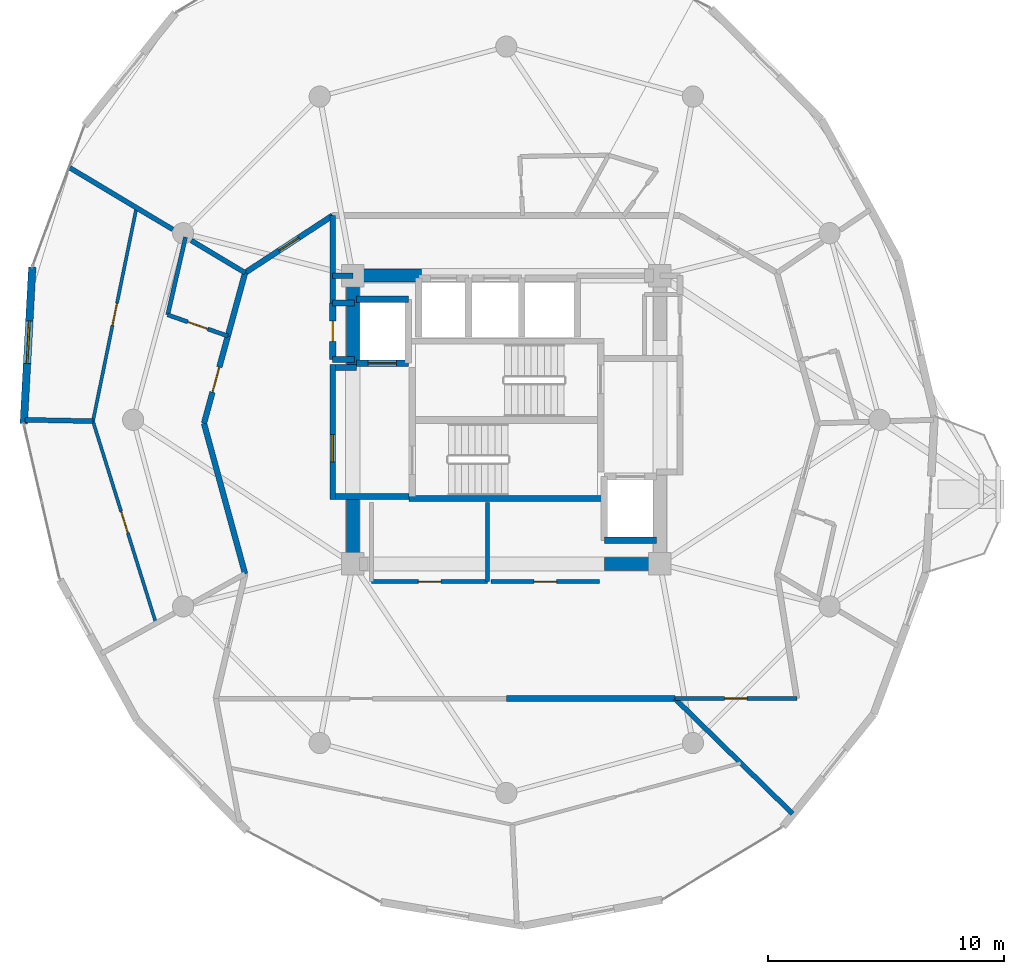
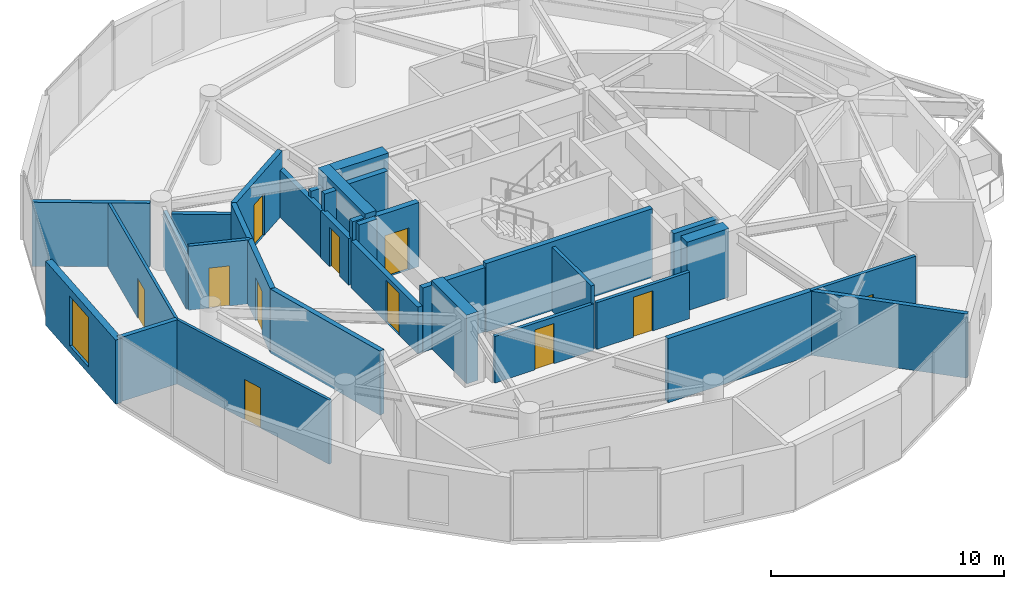
# One storey, part 17 of 21: 34 walls, 11 doors, 1 window, 12 openings.
"""IFC4 building model written with IfcOpenShell, lengths in metres."""

from ifc_helpers import new_model, si_unit, direction, frame, frame_2d, origin, place, context, subcontext, project, spatial, rectangle, extrude, material, layer, layer_set, type_object, element, fill, save


model = new_model("IFC4")

# Units and contexts
model_context = context("Model", 3, precision=1e-05, world=origin(), true_north=direction((0.0, 1.0)))
body_context = subcontext(model_context, "Body", "Model", "MODEL_VIEW")
ifc_project = project(units=[si_unit("LENGTHUNIT", "METRE"), si_unit("AREAUNIT", "SQUARE_METRE"), si_unit("VOLUMEUNIT", "CUBIC_METRE"), si_unit("PLANEANGLEUNIT", "RADIAN"), si_unit("MASSUNIT", "GRAM", prefix="KILO")], contexts=[model_context])

# Site, building, storey
site_placement = place(None, origin())
site = spatial("IfcSite", under=ifc_project, at=site_placement, CompositionType="ELEMENT")
building_placement = place(site_placement, origin())
building = spatial("IfcBuilding", under=site, at=building_placement, Name="Solvirekh Grand Hotel", CompositionType="ELEMENT")
storey_placement = place(building_placement, frame((0.0, 0.0, 216.39990234375)))
storey = spatial("IfcBuildingStorey", under=building, at=storey_placement, Name="L56", CompositionType="ELEMENT", Elevation=216.39990234375)

# Wall
ifc_material_1 = material(Name="Concrete C50/60", Category="concrete")
ifc_layer_1 = layer(ifc_material_1, 0.35009765625)
ifc_layer_set_1 = layer_set([ifc_layer_1], Name="Concrete C50/60")
wall_type_1 = type_object("IfcWallType", Name="CoreDivWall_RC350", PredefinedType="SOLIDWALL", material=ifc_layer_set_1)
wall_1_placement = place(storey_placement, frame((-4.1298828125, -3.324951171875, 0.0), z_axis=(0.0, 0.0, 1.0), x_axis=(1.0, 0.0, 0.0)))
element("IfcWall", 1, at=wall_1_placement, inside=storey, type_object=wall_type_1, Name="L56 core stair box wall ST-S", PredefinedType="SOLIDWALL", context=body_context, shape_type="SweptSolid", body=[
    extrude(rectangle(XDim=8.259765625, YDim=0.25, at=frame_2d((4.1298828125, 0.0))), origin(), (0.0, 0.0, 1.0), 3.60009765625),
])

# Wall, opening, door
ifc_material_2 = material(Name="Concrete C40/50", Category="concrete")
ifc_layer_2 = layer(ifc_material_2, 0.280029296875)
ifc_layer_set_2 = layer_set([ifc_layer_2], Name="Concrete C40/50")
wall_type_2 = type_object("IfcWallType", Name="CoreShaftWall_RC280", PredefinedType="SOLIDWALL", material=ifc_layer_set_2)
wall_2_placement = place(storey_placement, frame((-6.35009765625, 2.39990234375, 0.0), z_axis=(0.0, 0.0, 1.0), x_axis=(1.0, 0.0, 0.0)))
wall_2 = element("IfcWall", 2, at=wall_2_placement, inside=storey, type_object=wall_type_2, Name="L56 FL-1 hoistway S wall", PredefinedType="SOLIDWALL", context=body_context, shape_type="SweptSolid", body=[
    extrude(rectangle(XDim=2.2001953125, YDim=0.280029296875, at=frame_2d((1.10009765625, 0.0))), origin(), (0.0, 0.0, 1.0), 3.360107421875),
])
opening_1_placement = place(wall_2_placement, frame((0.5, 0.0, 0.0)))
opening_1 = element("IfcOpeningElement", 3, at=opening_1_placement, cuts=wall_2, Name="Opening LD02", PredefinedType="OPENING", context=body_context, shape_type="SweptSolid", body=[
    extrude(rectangle(XDim=1.199951171875, YDim=2.199951171875, at=frame_2d((0.60009765625, 1.10009765625))), frame((0.0, 0.14990234375, 0.0), z_axis=(0.0, -1.0, 0.0), x_axis=(1.0, 0.0, 0.0)), (0.0, 0.0, 1.0), 0.300048828125),
])
ifc_material_3 = material(Name="Fire-Rated Steel Door Assembly", Category="steel")
door_type_1 = type_object("IfcDoorType", Name="Door_LiftFF_1200X2200", OperationType="SLIDING_TO_LEFT", PredefinedType="DOOR", material=ifc_material_3)
door_1_placement = place(opening_1_placement, origin())
door_1 = element("IfcDoor", 4, at=door_1_placement, inside=storey, type_object=door_type_1, Name="L56 FL-1 sliding lift landing door", OperationType="SLIDING_TO_LEFT", OverallHeight=2.199951171875, OverallWidth=1.199951171875, PredefinedType="DOOR", context=body_context, shape_type="SweptSolid", body=[
    extrude(rectangle(XDim=1.199951171875, YDim=2.199951171875, at=frame_2d((0.60009765625, 1.10009765625))), frame((0.0, 0.02490234375, 0.0), z_axis=(0.0, -1.0, 0.0), x_axis=(1.0, 0.0, 0.0)), (0.0, 0.0, 1.0), 0.050048828125),
])
fill(opening_1, door_1)

# Walls
for number, where, z_axis, x_axis, name in (
    (5, (-4.14990234375, 5.10009765625, 0.0), (0.0, 0.0, 1.0), (-1.0, 0.0, 0.0), "L56 FL-1 hoistway N wall"),
    (6, (4.14990234375, -5.10009765625, 0.0), (0.0, 0.0, 1.0), (1.0, 0.0, 0.0), "L56 FL-2 hoistway S wall"),
):
    element("IfcWall", number, at=place(storey_placement, frame(where, z_axis=z_axis, x_axis=x_axis)), inside=storey, type_object=wall_type_2, Name=name, PredefinedType="SOLIDWALL", context=body_context, shape_type="SweptSolid", body=[
        extrude(rectangle(XDim=2.2001953125, YDim=0.280029296875, at=frame_2d((1.10009765625, 0.0))), origin(), (0.0, 0.0, 1.0), 3.360107421875),
    ])
ifc_layer_3 = layer(ifc_material_1, 0.550048828125)
ifc_layer_set_3 = layer_set([ifc_layer_3], Name="Concrete C50/60")
wall_type_3 = type_object("IfcWallType", Name="CoreWall_RC550", PredefinedType="SHEAR", material=ifc_layer_set_3)
wall_3_placement = place(storey_placement, frame((4.14990234375, -6.10009765625, 0.0), z_axis=(0.0, 0.0, 1.0), x_axis=(1.0, 0.0, 0.0)))
element("IfcWall", 7, at=wall_3_placement, inside=storey, type_object=wall_type_3, Name="L56 core corner shear wall SE-S", PredefinedType="SHEAR", context=body_context, shape_type="SweptSolid", body=[
    extrude(rectangle(XDim=2.0751953125, YDim=0.550048828125, at=frame_2d((1.03759765625, 0.0))), origin(), (0.0, 0.0, 1.0), 3.60009765625),
])
wall_4_placement = place(storey_placement, frame((-6.22509765625, 6.10009765625, 0.0), z_axis=(0.0, 0.0, 1.0), x_axis=(1.0, 0.0, 0.0)))
element("IfcWall", 8, at=wall_4_placement, inside=storey, type_object=wall_type_3, Name="L56 core corner shear wall NW-N", PredefinedType="SHEAR", context=body_context, shape_type="SweptSolid", body=[
    extrude(rectangle(XDim=2.625, YDim=0.550048828125, at=frame_2d((1.3125, 0.0))), origin(), (0.0, 0.0, 1.0), 3.60009765625),
])
wall_5_placement = place(storey_placement, frame((-6.5, 2.35009765625, 0.0), z_axis=(0.0, 0.0, 1.0), x_axis=(0.0, 1.0, 0.0)))
element("IfcWall", 9, at=wall_5_placement, inside=storey, type_object=wall_type_3, Name="L56 core corner shear wall WN-W", PredefinedType="SHEAR", context=body_context, shape_type="SweptSolid", body=[
    extrude(rectangle(XDim=4.02490234375, YDim=0.550048828125, at=frame_2d((2.012451171875, 0.0))), origin(), (0.0, 0.0, 1.0), 3.60009765625),
])
wall_6_placement = place(storey_placement, frame((-6.5, -6.375, 0.0), z_axis=(0.0, 0.0, 1.0), x_axis=(0.0, 1.0, 0.0)))
element("IfcWall", 10, at=wall_6_placement, inside=storey, type_object=wall_type_3, Name="L56 core corner shear wall WS-W", PredefinedType="SHEAR", context=body_context, shape_type="SweptSolid", body=[
    extrude(rectangle(XDim=3.02490234375, YDim=0.550048828125, at=frame_2d((1.512451171875, 0.0))), origin(), (0.0, 0.0, 1.0), 3.60009765625),
])

# Wall, opening, window
ifc_material_4 = material(Name="Precast concrete C45/55", Category="concrete")
ifc_layer_4 = layer(ifc_material_4, 0.320068359375)
ifc_layer_set_4 = layer_set([ifc_layer_4], Name="Precast concrete C45/55")
wall_type_4 = type_object("IfcWallType", Name="ExtLobbyWall_RC320", PredefinedType="SOLIDWALL", material=ifc_layer_set_4)
wall_7_placement = place(storey_placement, frame((-20.428955078125, -0.160888671875, 0.0), z_axis=(0.0, 0.0, 1.0), x_axis=(0.054369799723, 0.998520868524, 0.0)))
wall_7 = element("IfcWall", 11, at=wall_7_placement, inside=storey, type_object=wall_type_4, Name="L56 exterior structural wall chord 14", PredefinedType="SOLIDWALL", context=body_context, shape_type="SweptSolid", body=[
    extrude(rectangle(XDim=6.63671875, YDim=0.320068359375, at=frame_2d((3.318359375, 0.0))), origin(), (0.0, 0.0, 1.0), 3.360107421875),
])
opening_2_placement = place(wall_7_placement, frame((2.550048828125, 0.0, 0.35009765625)))
opening_2 = element("IfcOpeningElement", 12, at=opening_2_placement, cuts=wall_7, Name="Opening W02", PredefinedType="OPENING", context=body_context, shape_type="SweptSolid", body=[
    extrude(rectangle(XDim=1.800048828125, YDim=2.60009765625, at=frame_2d((0.89990234375, 1.300048828125))), frame((0.0, 0.169921875, 0.0), z_axis=(0.0, -1.0, 0.0), x_axis=(1.0, 0.0, 0.0)), (0.0, 0.0, 1.0), 0.340087890625),
])
ifc_material_5 = material(Name="Low-E Tinted Bronze Laminated Glass", Category="aluminium")
window_type = type_object("IfcWindowType", Name="Win_LobbyExt_1800X2600", PartitioningType="SINGLE_PANEL", PredefinedType="WINDOW", material=ifc_material_5)
window_placement = place(opening_2_placement, origin())
window = element("IfcWindow", 13, at=window_placement, inside=storey, type_object=window_type, Name="L56 panoramic bronze-framed window 14", OverallHeight=2.60009765625, OverallWidth=1.800048828125, PartitioningType="SINGLE_PANEL", PredefinedType="WINDOW", context=body_context, shape_type="SweptSolid", body=[
    extrude(rectangle(XDim=1.800048828125, YDim=2.60009765625, at=frame_2d((0.89990234375, 1.300048828125))), frame((0.0, 0.030029296875, 0.0), z_axis=(0.0, -1.0, 0.0), x_axis=(1.0, 0.0, 0.0)), (0.0, 0.0, 1.0), 0.06005859375),
])
fill(opening_2, window)

# Wall, opening, door
ifc_material_6 = material(Name="Acoustic Gypsum Partition Assembly")
ifc_layer_5 = layer(ifc_material_6, 0.1650390625)
ifc_layer_set_5 = layer_set([ifc_layer_5], Name="Acoustic Gypsum Partition Assembly")
wall_type_5 = type_object("IfcWallType", Name="Part_BOH_165", PredefinedType="PARTITIONING", material=ifc_layer_set_5)
wall_8_placement = place(storey_placement, frame((-5.699951171875, -6.85009765625, 0.0), z_axis=(0.0, 0.0, 1.0), x_axis=(1.0, 0.0, 0.0)))
wall_8 = element("IfcWall", 14, at=wall_8_placement, inside=storey, type_object=wall_type_5, Name="L56 High-Zone Housekeeping Linen Room wall 1", PredefinedType="PARTITIONING", context=body_context, shape_type="SweptSolid", body=[
    extrude(rectangle(XDim=4.89990234375, YDim=0.1650390625, at=frame_2d((2.449951171875, 0.0))), origin(), (0.0, 0.0, 1.0), 2.445068359375),
])
opening_3_placement = place(wall_8_placement, frame((1.97509765625, 0.0, 0.0)))
opening_3 = element("IfcOpeningElement", 15, at=opening_3_placement, cuts=wall_8, Name="Opening D10", PredefinedType="OPENING", context=body_context, shape_type="SweptSolid", body=[
    extrude(rectangle(XDim=0.949951171875, YDim=2.10009765625, at=frame_2d((0.47509765625, 1.050048828125))), frame((0.0, 0.092529296875, 0.0), z_axis=(0.0, -1.0, 0.0), x_axis=(1.0, 0.0, 0.0)), (0.0, 0.0, 1.0), 0.18505859375),
])
ifc_material_7 = material(Name="Anodized Bronze Aluminium 6063-T6", Category="aluminium")
door_type_2 = type_object("IfcDoorType", Name="Door_RoomInt_950X2100", OperationType="NOTDEFINED", PredefinedType="DOOR", material=ifc_material_7)
door_2_placement = place(opening_3_placement, origin())
door_2 = element("IfcDoor", 16, at=door_2_placement, inside=storey, type_object=door_type_2, Name="L56 High-Zone Housekeeping Linen Room door", OperationType="SINGLE_SWING_LEFT", OverallHeight=2.10009765625, OverallWidth=0.949951171875, PredefinedType="DOOR", context=body_context, shape_type="SweptSolid", body=[
    extrude(rectangle(XDim=0.949951171875, YDim=2.10009765625, at=frame_2d((0.47509765625, 1.050048828125))), frame((0.0, 0.02490234375, 0.0), z_axis=(0.0, -1.0, 0.0), x_axis=(1.0, 0.0, 0.0)), (0.0, 0.0, 1.0), 0.050048828125),
])
fill(opening_3, door_2)

# Wall
wall_9_placement = place(storey_placement, frame((-0.800048828125, -6.85009765625, 0.0), z_axis=(0.0, 0.0, 1.0), x_axis=(0.0, 1.0, 0.0)))
element("IfcWall", 17, at=wall_9_placement, inside=storey, type_object=wall_type_5, Name="L56 High-Zone Housekeeping Linen Room wall 2", PredefinedType="PARTITIONING", context=body_context, shape_type="SweptSolid", body=[
    extrude(rectangle(XDim=3.35009765625, YDim=0.1650390625, at=frame_2d((1.675048828125, 0.0))), origin(), (0.0, 0.0, 1.0), 3.360107421875),
])

# Wall, opening, door
wall_10_placement = place(storey_placement, frame((-0.64990234375, -6.85009765625, 0.0), z_axis=(0.0, 0.0, 1.0), x_axis=(1.0, 0.0, 0.0)))
wall_10 = element("IfcWall", 18, at=wall_10_placement, inside=storey, type_object=wall_type_5, Name="L56 Butler Valet Steward Room wall 1", PredefinedType="PARTITIONING", context=body_context, shape_type="SweptSolid", body=[
    extrude(rectangle(XDim=4.599853515625, YDim=0.1650390625, at=frame_2d((2.2998046875, 0.0))), origin(), (0.0, 0.0, 1.0), 2.445068359375),
])
opening_4_placement = place(wall_10_placement, frame((1.824951171875, 0.0, 0.0)))
opening_4 = element("IfcOpeningElement", 19, at=opening_4_placement, cuts=wall_10, Name="Opening D10", PredefinedType="OPENING", context=body_context, shape_type="SweptSolid", body=[
    extrude(rectangle(XDim=0.949951171875, YDim=2.10009765625, at=frame_2d((0.47509765625, 1.050048828125))), frame((0.0, 0.092529296875, 0.0), z_axis=(0.0, -1.0, 0.0), x_axis=(1.0, 0.0, 0.0)), (0.0, 0.0, 1.0), 0.18505859375),
])
door_3_placement = place(opening_4_placement, origin())
door_3 = element("IfcDoor", 20, at=door_3_placement, inside=storey, type_object=door_type_2, Name="L56 Butler Valet Steward Room door", OperationType="SINGLE_SWING_RIGHT", OverallHeight=2.10009765625, OverallWidth=0.949951171875, PredefinedType="DOOR", context=body_context, shape_type="SweptSolid", body=[
    extrude(rectangle(XDim=0.949951171875, YDim=2.10009765625, at=frame_2d((0.47509765625, 1.050048828125))), frame((0.0, 0.02490234375, 0.0), z_axis=(0.0, -1.0, 0.0), x_axis=(1.0, 0.0, 0.0)), (0.0, 0.0, 1.0), 0.050048828125),
])
fill(opening_4, door_3)

wall_11_placement = place(storey_placement, frame((7.134033203125, -11.800048828125, 0.0), z_axis=(0.0, 0.0, 1.0), x_axis=(1.0, 0.0, 0.0)))
wall_11 = element("IfcWall", 21, at=wall_11_placement, inside=storey, type_object=wall_type_5, Name="L56 L56 Butler Valet & Linen Steward Room entrance wall", PredefinedType="PARTITIONING", context=body_context, shape_type="SweptSolid", body=[
    extrude(rectangle(XDim=5.166015625, YDim=0.1650390625, at=frame_2d((2.5830078125, 0.0))), origin(), (0.0, 0.0, 1.0), 3.360107421875),
])
opening_5_placement = place(wall_11_placement, frame((2.10791015625, 0.0, 0.0)))
opening_5 = element("IfcOpeningElement", 22, at=opening_5_placement, cuts=wall_11, Name="Opening D10", PredefinedType="OPENING", context=body_context, shape_type="SweptSolid", body=[
    extrude(rectangle(XDim=0.949951171875, YDim=2.10009765625, at=frame_2d((0.47509765625, 1.050048828125))), frame((0.0, 0.092529296875, 0.0), z_axis=(0.0, -1.0, 0.0), x_axis=(1.0, 0.0, 0.0)), (0.0, 0.0, 1.0), 0.18505859375),
])
door_4_placement = place(opening_5_placement, origin())
door_4 = element("IfcDoor", 23, at=door_4_placement, inside=storey, type_object=door_type_2, Name="L56 L56 Butler Valet & Linen Steward Room entrance door", OperationType="SINGLE_SWING_LEFT", OverallHeight=2.10009765625, OverallWidth=0.949951171875, PredefinedType="DOOR", context=body_context, shape_type="SweptSolid", body=[
    extrude(rectangle(XDim=0.949951171875, YDim=2.10009765625, at=frame_2d((0.47509765625, 1.050048828125))), frame((0.0, 0.02490234375, 0.0), z_axis=(0.0, -1.0, 0.0), x_axis=(1.0, 0.0, 0.0)), (0.0, 0.0, 1.0), 0.050048828125),
])
fill(opening_5, door_4)

ifc_layer_6 = layer(ifc_material_6, 0.239990234375)
ifc_layer_set_6 = layer_set([ifc_layer_6], Name="Acoustic Gypsum Partition Assembly")
wall_type_6 = type_object("IfcWallType", Name="Part_Corridor_240", PredefinedType="PARTITIONING", material=ifc_layer_set_6)
wall_12_placement = place(storey_placement, frame((-7.35009765625, -3.3798828125, 0.0), z_axis=(0.0, 0.0, 1.0), x_axis=(0.0, 1.0, 0.0)))
wall_12 = element("IfcWall", 24, at=wall_12_placement, inside=storey, type_object=wall_type_6, Name="L56 west firefighting lobby smoke screen wall", PredefinedType="PARTITIONING", context=body_context, shape_type="SweptSolid", body=[
    extrude(rectangle(XDim=5.719970703125, YDim=0.239990234375, at=frame_2d((2.85986328125, 0.0))), origin(), (0.0, 0.0, 1.0), 2.445068359375),
])
opening_6_placement = place(wall_12_placement, frame((1.59912109375, 0.0, 0.0)))
opening_6 = element("IfcOpeningElement", 25, at=opening_6_placement, cuts=wall_12, Name="Opening D06", PredefinedType="OPENING", context=body_context, shape_type="SweptSolid", body=[
    extrude(rectangle(XDim=1.14990234375, YDim=2.199951171875, at=frame_2d((0.574951171875, 1.10009765625))), frame((0.0, 0.1298828125, 0.0), z_axis=(0.0, -1.0, 0.0), x_axis=(1.0, 0.0, 0.0)), (0.0, 0.0, 1.0), 0.260009765625),
])
door_type_3 = type_object("IfcDoorType", Name="Door_FFLobby_1150X2200", OperationType="NOTDEFINED", PredefinedType="DOOR", material=ifc_material_3)
door_5_placement = place(opening_6_placement, origin())
door_5 = element("IfcDoor", 26, at=door_5_placement, inside=storey, type_object=door_type_3, Name="L56 west firefighting lobby smoke door", OperationType="SINGLE_SWING_LEFT", OverallHeight=2.199951171875, OverallWidth=1.14990234375, PredefinedType="DOOR", context=body_context, shape_type="SweptSolid", body=[
    extrude(rectangle(XDim=1.14990234375, YDim=2.199951171875, at=frame_2d((0.574951171875, 1.10009765625))), frame((0.0, 0.02490234375, 0.0), z_axis=(0.0, -1.0, 0.0), x_axis=(1.0, 0.0, 0.0)), (0.0, 0.0, 1.0), 0.050048828125),
])
fill(opening_6, door_5)

# Walls
wall_13_placement = place(storey_placement, frame((-7.35009765625, 4.949951171875, 0.0), z_axis=(0.0, 0.0, 1.0), x_axis=(0.0, 1.0, 0.0)))
element("IfcWall", 27, at=wall_13_placement, inside=storey, type_object=wall_type_6, Name="L56 north lift lobby west wall", PredefinedType="PARTITIONING", context=body_context, shape_type="SweptSolid", body=[
    extrude(rectangle(XDim=3.699951171875, YDim=0.239990234375, at=frame_2d((1.85009765625, 0.0))), origin(), (0.0, 0.0, 1.0), 2.445068359375),
])
wall_14_placement = place(storey_placement, frame((-7.35009765625, 6.10009765625, 0.0), z_axis=(0.0, 0.0, 1.0), x_axis=(1.0, 0.0, 0.0)))
element("IfcWall", 28, at=wall_14_placement, inside=storey, type_object=wall_type_6, Name="L56 NW core corner closure wall", PredefinedType="PARTITIONING", context=body_context, shape_type="SweptSolid", body=[
    extrude(rectangle(XDim=0.85009765625, YDim=0.239990234375, at=frame_2d((0.425048828125, 0.0))), origin(), (0.0, 0.0, 1.0), 2.801025390625),
])

# Wall, opening, door
wall_15_placement = place(storey_placement, frame((-11.05810546875, 6.22509765625, 0.0), z_axis=(0.0, 0.0, 1.0), x_axis=(0.83693466485, 0.547302810857, 0.0)))
wall_15 = element("IfcWall", 29, at=wall_15_placement, inside=storey, type_object=wall_type_6, Name="L56 Panorama Suite 5802 entrance wall", PredefinedType="PARTITIONING", context=body_context, shape_type="SweptSolid", body=[
    extrude(rectangle(XDim=4.430419921875, YDim=0.239990234375, at=frame_2d((2.21533203125, 0.0))), origin(), (0.0, 0.0, 1.0), 3.360107421875),
])
opening_7_placement = place(wall_15_placement, frame((1.715087890625, 0.0, 0.0)))
opening_7 = element("IfcOpeningElement", 30, at=opening_7_placement, cuts=wall_15, Name="Opening D07", PredefinedType="OPENING", context=body_context, shape_type="SweptSolid", body=[
    extrude(rectangle(XDim=1.0, YDim=2.199951171875, at=frame_2d((0.5, 1.10009765625))), frame((0.0, 0.1298828125, 0.0), z_axis=(0.0, -1.0, 0.0), x_axis=(1.0, 0.0, 0.0)), (0.0, 0.0, 1.0), 0.260009765625),
])
door_type_4 = type_object("IfcDoorType", Name="Door_GuestEntry_1000X2200", OperationType="NOTDEFINED", PredefinedType="DOOR", material=ifc_material_3)
door_6_placement = place(opening_7_placement, origin())
door_6 = element("IfcDoor", 31, at=door_6_placement, inside=storey, type_object=door_type_4, Name="L56 Panorama Suite 5802 entrance door", OperationType="SINGLE_SWING_RIGHT", OverallHeight=2.199951171875, OverallWidth=1.0, PredefinedType="DOOR", context=body_context, shape_type="SweptSolid", body=[
    extrude(rectangle(XDim=1.0, YDim=2.199951171875, at=frame_2d((0.5, 1.10009765625))), frame((0.0, 0.02490234375, 0.0), z_axis=(0.0, -1.0, 0.0), x_axis=(1.0, 0.0, 0.0)), (0.0, 0.0, 1.0), 0.050048828125),
])
fill(opening_7, door_6)

# Walls
wall_16_placement = place(storey_placement, frame((-11.05810546875, 6.22509765625, 0.0), z_axis=(0.0, 0.0, 1.0), x_axis=(-0.263645685939, -0.964619589416, 0.0)))
element("IfcWall", 32, at=wall_16_placement, inside=storey, type_object=wall_type_6, Name="L56 En-suite Bathroom 5803 corridor backing wall", PredefinedType="PARTITIONING", context=body_context, shape_type="SweptSolid", body=[
    extrude(rectangle(XDim=2.776123046875, YDim=0.239990234375, at=frame_2d((1.38818359375, 0.0))), origin(), (0.0, 0.0, 1.0), 3.360107421875),
])
wall_17_placement = place(storey_placement, frame((-12.800048828125, -0.14990234375, 0.0), z_axis=(0.0, 0.0, 1.0), x_axis=(0.263583131966, -0.96463668422, 0.0)))
element("IfcWall", 33, at=wall_17_placement, inside=storey, type_object=wall_type_6, Name="L56 Executive Suite 5803 Living Room corridor wall 1", PredefinedType="PARTITIONING", context=body_context, shape_type="SweptSolid", body=[
    extrude(rectangle(XDim=6.608642578125, YDim=0.239990234375, at=frame_2d((3.30419921875, 0.0))), origin(), (0.0, 0.0, 1.0), 3.360107421875),
])

# Wall, opening, door
wall_18_placement = place(storey_placement, frame((-11.7900390625, 3.547119140625, 0.0), z_axis=(0.0, 0.0, 1.0), x_axis=(-0.263537818226, -0.964649064875, 0.0)))
wall_18 = element("IfcWall", 34, at=wall_18_placement, inside=storey, type_object=wall_type_6, Name="L56 Executive Suite 5803 Living Room entrance wall", PredefinedType="PARTITIONING", context=body_context, shape_type="SweptSolid", body=[
    extrude(rectangle(XDim=3.83251953125, YDim=0.239990234375, at=frame_2d((1.916259765625, 0.0))), origin(), (0.0, 0.0, 1.0), 3.360107421875),
])
opening_8_placement = place(wall_18_placement, frame((1.365966796875, 0.0, 0.0)))
opening_8 = element("IfcOpeningElement", 35, at=opening_8_placement, cuts=wall_18, Name="Opening D08", PredefinedType="OPENING", context=body_context, shape_type="SweptSolid", body=[
    extrude(rectangle(XDim=1.10009765625, YDim=2.300048828125, at=frame_2d((0.550048828125, 1.14990234375))), frame((0.0, 0.1298828125, 0.0), z_axis=(0.0, -1.0, 0.0), x_axis=(1.0, 0.0, 0.0)), (0.0, 0.0, 1.0), 0.260009765625),
])
door_type_5 = type_object("IfcDoorType", Name="Door_SuiteEntry_1100X2300", OperationType="NOTDEFINED", PredefinedType="DOOR", material=ifc_material_3)
door_7_placement = place(opening_8_placement, origin())
door_7 = element("IfcDoor", 36, at=door_7_placement, inside=storey, type_object=door_type_5, Name="L56 Executive Suite 5803 Living Room entrance door", OperationType="SINGLE_SWING_RIGHT", OverallHeight=2.300048828125, OverallWidth=1.10009765625, PredefinedType="DOOR", context=body_context, shape_type="SweptSolid", body=[
    extrude(rectangle(XDim=1.10009765625, YDim=2.300048828125, at=frame_2d((0.550048828125, 1.14990234375))), frame((0.0, 0.02490234375, 0.0), z_axis=(0.0, -1.0, 0.0), x_axis=(1.0, 0.0, 0.0)), (0.0, 0.0, 1.0), 0.050048828125),
])
fill(opening_8, door_7)

# Walls
wall_19_placement = place(storey_placement, frame((0.0, -11.800048828125, 0.0), z_axis=(0.0, 0.0, 1.0), x_axis=(1.0, 0.0, 0.0)))
element("IfcWall", 37, at=wall_19_placement, inside=storey, type_object=wall_type_6, Name="L56 L56 Bespoke Atelier Room corridor wall 1", PredefinedType="PARTITIONING", context=body_context, shape_type="SweptSolid", body=[
    extrude(rectangle(XDim=7.134033203125, YDim=0.239990234375, at=frame_2d((3.56689453125, 0.0))), origin(), (0.0, 0.0, 1.0), 3.360107421875),
])
ifc_layer_7 = layer(ifc_material_6, 0.260009765625)
ifc_layer_set_7 = layer_set([ifc_layer_7], Name="Acoustic Gypsum Partition Assembly")
wall_type_7 = type_object("IfcWallType", Name="Part_LobbyFF_260", PredefinedType="PARTITIONING", material=ifc_layer_set_7)
wall_20_placement = place(storey_placement, frame((-7.22509765625, -3.25, 0.0), z_axis=(0.0, 0.0, 1.0), x_axis=(1.0, 0.0, 0.0)))
element("IfcWall", 38, at=wall_20_placement, inside=storey, type_object=wall_type_7, Name="L56 west firefighting lobby south partition", PredefinedType="PARTITIONING", context=body_context, shape_type="SweptSolid", body=[
    extrude(rectangle(XDim=3.09521484375, YDim=0.260009765625, at=frame_2d((1.547607421875, 0.0))), origin(), (0.0, 0.0, 1.0), 3.360107421875),
])
wall_21_placement = place(storey_placement, frame((-7.22509765625, 2.2099609375, 0.0), z_axis=(0.0, 0.0, 1.0), x_axis=(1.0, 0.0, 0.0)))
element("IfcWall", 39, at=wall_21_placement, inside=storey, type_object=wall_type_7, Name="L56 west firefighting lobby NW cheek", PredefinedType="PARTITIONING", context=body_context, shape_type="SweptSolid", body=[
    extrude(rectangle(XDim=0.875, YDim=0.260009765625, at=frame_2d((0.4375, 0.0))), origin(), (0.0, 0.0, 1.0), 3.360107421875),
])
for number, where, z_axis, x_axis, name in (
    (40, (-7.35009765625, 4.949951171875, 0.0), (0.0, 0.0, 1.0), (1.0, 0.0, 0.0), "L56 NW telecom metering cupboard north wall"),
    (41, (-7.35009765625, 2.550048828125, 0.0), (0.0, 0.0, 1.0), (1.0, 0.0, 0.0), "L56 NW telecom metering cupboard south wall"),
):
    element("IfcWall", number, at=place(storey_placement, frame(where, z_axis=z_axis, x_axis=x_axis)), inside=storey, type_object=wall_type_7, Name=name, PredefinedType="PARTITIONING", context=body_context, shape_type="SweptSolid", body=[
        extrude(rectangle(XDim=0.93017578125, YDim=0.260009765625, at=frame_2d((0.465087890625, 0.0))), origin(), (0.0, 0.0, 1.0), 3.360107421875),
    ])

# Wall, opening, door
wall_22_placement = place(storey_placement, frame((-7.35009765625, 2.550048828125, 0.0), z_axis=(0.0, 0.0, 1.0), x_axis=(0.0, 1.0, 0.0)))
wall_22 = element("IfcWall", 42, at=wall_22_placement, inside=storey, type_object=wall_type_7, Name="L56 NW telecom metering cupboard access wall", PredefinedType="PARTITIONING", context=body_context, shape_type="SweptSolid", body=[
    extrude(rectangle(XDim=2.39990234375, YDim=0.260009765625, at=frame_2d((1.199951171875, 0.0))), origin(), (0.0, 0.0, 1.0), 2.445068359375),
])
opening_9_placement = place(wall_22_placement, frame((0.77490234375, 0.0, 0.0)))
opening_9 = element("IfcOpeningElement", 43, at=opening_9_placement, cuts=wall_22, Name="Opening D13", PredefinedType="OPENING", context=body_context, shape_type="SweptSolid", body=[
    extrude(rectangle(XDim=0.85009765625, YDim=2.050048828125, at=frame_2d((0.425048828125, 1.02490234375))), frame((0.0, 0.14013671875, 0.0), z_axis=(0.0, -1.0, 0.0), x_axis=(1.0, 0.0, 0.0)), (0.0, 0.0, 1.0), 0.280029296875),
])
door_type_6 = type_object("IfcDoorType", Name="Door_RiserShaft_850X2050", OperationType="NOTDEFINED", PredefinedType="DOOR", material=ifc_material_3)
door_8_placement = place(opening_9_placement, origin())
door_8 = element("IfcDoor", 44, at=door_8_placement, inside=storey, type_object=door_type_6, Name="L56 telecom metering cupboard access door", OperationType="SINGLE_SWING_LEFT", OverallHeight=2.050048828125, OverallWidth=0.85009765625, PredefinedType="DOOR", context=body_context, shape_type="SweptSolid", body=[
    extrude(rectangle(XDim=0.85009765625, YDim=2.050048828125, at=frame_2d((0.425048828125, 1.02490234375))), frame((0.0, 0.02490234375, 0.0), z_axis=(0.0, -1.0, 0.0), x_axis=(1.0, 0.0, 0.0)), (0.0, 0.0, 1.0), 0.050048828125),
])
fill(opening_9, door_8)

ifc_layer_8 = layer(ifc_material_6, 0.135009765625)
ifc_layer_set_8 = layer_set([ifc_layer_8], Name="Acoustic Gypsum Partition Assembly")
wall_type_8 = type_object("IfcWallType", Name="Part_RoomInt_135", PredefinedType="PARTITIONING", material=ifc_layer_set_8)
wall_23_placement = place(storey_placement, frame((-15.656982421875, 8.97900390625, 0.0), z_axis=(0.0, 0.0, 1.0), x_axis=(-0.199851606377, -0.97982617613, 0.0)))
wall_23 = element("IfcWall", 45, at=wall_23_placement, inside=storey, type_object=wall_type_8, Name="L56 Executive Suite 5803 Living Room bedroom screen wall", PredefinedType="PARTITIONING", context=body_context, shape_type="SweptSolid", body=[
    extrude(rectangle(XDim=9.221923828125, YDim=0.135009765625, at=frame_2d((4.61083984375, 0.0))), origin(), (0.0, 0.0, 1.0), 3.360107421875),
])
opening_10_placement = place(wall_23_placement, frame((4.135986328125, 0.0, 0.0)))
opening_10 = element("IfcOpeningElement", 46, at=opening_10_placement, cuts=wall_23, Name="Opening D10", PredefinedType="OPENING", context=body_context, shape_type="SweptSolid", body=[
    extrude(rectangle(XDim=0.949951171875, YDim=2.10009765625, at=frame_2d((0.47509765625, 1.050048828125))), frame((0.0, 0.07763671875, 0.0), z_axis=(0.0, -1.0, 0.0), x_axis=(1.0, 0.0, 0.0)), (0.0, 0.0, 1.0), 0.155029296875),
])
door_9_placement = place(opening_10_placement, origin())
door_9 = element("IfcDoor", 47, at=door_9_placement, inside=storey, type_object=door_type_2, Name="L56 Executive Suite 5803 Living Room master bedroom door", OperationType="SINGLE_SWING_LEFT", OverallHeight=2.10009765625, OverallWidth=0.949951171875, PredefinedType="DOOR", context=body_context, shape_type="SweptSolid", body=[
    extrude(rectangle(XDim=0.949951171875, YDim=2.10009765625, at=frame_2d((0.47509765625, 1.050048828125))), frame((0.0, 0.02490234375, 0.0), z_axis=(0.0, -1.0, 0.0), x_axis=(1.0, 0.0, 0.0)), (0.0, 0.0, 1.0), 0.050048828125),
])
fill(opening_10, door_9)

wall_24_placement = place(storey_placement, frame((-17.5, -0.056884765625, 0.0), z_axis=(0.0, 0.0, 1.0), x_axis=(0.297788107715, -0.954631993442, 0.0)))
wall_24 = element("IfcWall", 48, at=wall_24_placement, inside=storey, type_object=wall_type_8, Name="L56 Executive Suite 5803 Panorama Suite Study bedroom screen wall", PredefinedType="PARTITIONING", context=body_context, shape_type="SweptSolid", body=[
    extrude(rectangle(XDim=8.9658203125, YDim=0.135009765625, at=frame_2d((4.48291015625, 0.0))), origin(), (0.0, 0.0, 1.0), 3.360107421875),
])
opening_11_placement = place(wall_24_placement, frame((4.008056640625, 0.0, 0.0)))
opening_11 = element("IfcOpeningElement", 49, at=opening_11_placement, cuts=wall_24, Name="Opening D10", PredefinedType="OPENING", context=body_context, shape_type="SweptSolid", body=[
    extrude(rectangle(XDim=0.949951171875, YDim=2.10009765625, at=frame_2d((0.47509765625, 1.050048828125))), frame((0.0, 0.07763671875, 0.0), z_axis=(0.0, -1.0, 0.0), x_axis=(1.0, 0.0, 0.0)), (0.0, 0.0, 1.0), 0.155029296875),
])
door_10_placement = place(opening_11_placement, origin())
door_10 = element("IfcDoor", 50, at=door_10_placement, inside=storey, type_object=door_type_2, Name="L56 Executive Suite 5803 Panorama Suite Study master bedroom door", OperationType="SINGLE_SWING_RIGHT", OverallHeight=2.10009765625, OverallWidth=0.949951171875, PredefinedType="DOOR", context=body_context, shape_type="SweptSolid", body=[
    extrude(rectangle(XDim=0.949951171875, YDim=2.10009765625, at=frame_2d((0.47509765625, 1.050048828125))), frame((0.0, 0.02490234375, 0.0), z_axis=(0.0, -1.0, 0.0), x_axis=(1.0, 0.0, 0.0)), (0.0, 0.0, 1.0), 0.050048828125),
])
fill(opening_11, door_10)

# Walls
ifc_layer_9 = layer(ifc_material_6, 0.2099609375)
ifc_layer_set_9 = layer_set([ifc_layer_9], Name="Acoustic Gypsum Partition Assembly")
wall_type_9 = type_object("IfcWallType", Name="Part_SuiteDemise_210", PredefinedType="PARTITIONING", material=ifc_layer_set_9)
wall_25_placement = place(storey_placement, frame((-11.05810546875, 6.22509765625, 0.0), z_axis=(0.0, 0.0, 1.0), x_axis=(-0.857915260108, 0.513791209027, 0.0)))
element("IfcWall", 51, at=wall_25_placement, inside=storey, type_object=wall_type_9, Name="L56 suite radial wall 6 (A)", PredefinedType="PARTITIONING", context=body_context, shape_type="SweptSolid", body=[
    extrude(rectangle(XDim=2.650634765625, YDim=0.2099609375, at=frame_2d((1.3251953125, 0.0))), origin(), (0.0, 0.0, 1.0), 2.801025390625),
])
wall_26_placement = place(storey_placement, frame((-14.1240234375, 8.06103515625, 0.0), z_axis=(0.0, 0.0, 1.0), x_axis=(-0.857951228024, 0.513731145963, 0.0)))
element("IfcWall", 52, at=wall_26_placement, inside=storey, type_object=wall_type_9, Name="L56 suite radial wall 6 (B)", PredefinedType="PARTITIONING", context=body_context, shape_type="SweptSolid", body=[
    extrude(rectangle(XDim=5.072509765625, YDim=0.2099609375, at=frame_2d((2.5361328125, 0.0))), origin(), (0.0, 0.0, 1.0), 3.360107421875),
])
wall_27_placement = place(storey_placement, frame((-17.5, -0.056884765625, 0.0), z_axis=(0.0, 0.0, 1.0), x_axis=(-0.999804977258, 0.019748606282, 0.0)))
element("IfcWall", 53, at=wall_27_placement, inside=storey, type_object=wall_type_9, Name="L56 Executive Suite 5803 Living Room dividing partition 1", PredefinedType="PARTITIONING", context=body_context, shape_type="SweptSolid", body=[
    extrude(rectangle(XDim=2.88037109375, YDim=0.2099609375, at=frame_2d((1.440185546875, 0.0))), origin(), (0.0, 0.0, 1.0), 3.360107421875),
])
wall_28_placement = place(storey_placement, frame((7.134033203125, -11.800048828125, 0.0), z_axis=(0.0, 0.0, 1.0), x_axis=(0.714759358417, -0.699370473751, 0.0)))
element("IfcWall", 54, at=wall_28_placement, inside=storey, type_object=wall_type_9, Name="L56 L56 Bespoke Atelier Room dividing partition 1", PredefinedType="PARTITIONING", context=body_context, shape_type="SweptSolid", body=[
    extrude(rectangle(XDim=6.964599609375, YDim=0.2099609375, at=frame_2d((3.482421875, 0.0))), origin(), (0.0, 0.0, 1.0), 3.360107421875),
])
ifc_layer_10 = layer(ifc_material_6, 0.175048828125)
ifc_layer_set_10 = layer_set([ifc_layer_10], Name="Acoustic Gypsum Partition Assembly")
wall_type_10 = type_object("IfcWallType", Name="Plumb_Ensuite_175", PredefinedType="PLUMBINGWALL", material=ifc_layer_set_10)
wall_29_placement = place(storey_placement, frame((-13.580078125, 7.735107421875, 0.0), z_axis=(0.0, 0.0, 1.0), x_axis=(-0.223633839989, -0.974673230171, 0.0)))
element("IfcWall", 55, at=wall_29_placement, inside=storey, type_object=wall_type_10, Name="L56 En-suite Bathroom 5803 outer plumbing wall", PredefinedType="PLUMBINGWALL", context=body_context, shape_type="SweptSolid", body=[
    extrude(rectangle(XDim=3.37548828125, YDim=0.175048828125, at=frame_2d((1.687744140625, 0.0))), origin(), (0.0, 0.0, 1.0), 2.92919921875),
])

# Wall, opening, door
wall_30_placement = place(storey_placement, frame((-11.7900390625, 3.547119140625, 0.0), z_axis=(0.0, 0.0, 1.0), x_axis=(-0.943020392373, 0.332734938905, 0.0)))
wall_30 = element("IfcWall", 56, at=wall_30_placement, inside=storey, type_object=wall_type_10, Name="L56 En-suite Bathroom 5803 entry plumbing wall", PredefinedType="PLUMBINGWALL", context=body_context, shape_type="SweptSolid", body=[
    extrude(rectangle(XDim=2.69873046875, YDim=0.175048828125, at=frame_2d((1.349365234375, 0.0))), origin(), (0.0, 0.0, 1.0), 3.360107421875),
])
opening_12_placement = place(wall_30_placement, frame((0.89892578125, 0.0, 0.0)))
opening_12 = element("IfcOpeningElement", 57, at=opening_12_placement, cuts=wall_30, Name="Opening D09", PredefinedType="OPENING", context=body_context, shape_type="SweptSolid", body=[
    extrude(rectangle(XDim=0.89990234375, YDim=2.10009765625, at=frame_2d((0.449951171875, 1.050048828125))), frame((0.0, 0.09765625, 0.0), z_axis=(0.0, -1.0, 0.0), x_axis=(1.0, 0.0, 0.0)), (0.0, 0.0, 1.0), 0.195068359375),
])
door_type_7 = type_object("IfcDoorType", Name="Door_Ensuite_900X2100", OperationType="NOTDEFINED", PredefinedType="DOOR", material=ifc_material_7)
door_11_placement = place(opening_12_placement, origin())
door_11 = element("IfcDoor", 58, at=door_11_placement, inside=storey, type_object=door_type_7, Name="L56 En-suite Bathroom 5803 door", OperationType="SINGLE_SWING_LEFT", OverallHeight=2.10009765625, OverallWidth=0.89990234375, PredefinedType="DOOR", context=body_context, shape_type="SweptSolid", body=[
    extrude(rectangle(XDim=0.89990234375, YDim=2.10009765625, at=frame_2d((0.449951171875, 1.050048828125))), frame((0.0, 0.02490234375, 0.0), z_axis=(0.0, -1.0, 0.0), x_axis=(1.0, 0.0, 0.0)), (0.0, 0.0, 1.0), 0.050048828125),
])
fill(opening_12, door_11)

save(model, "model.ifc")
